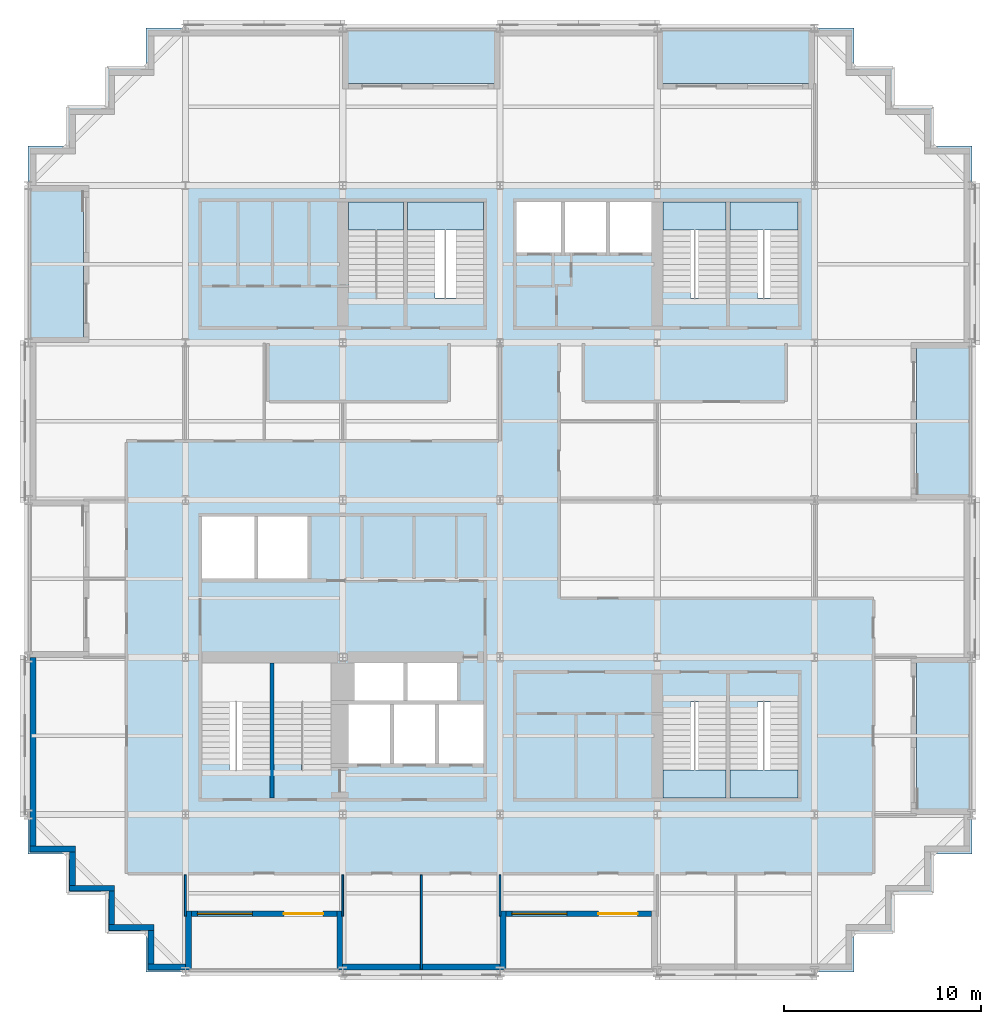
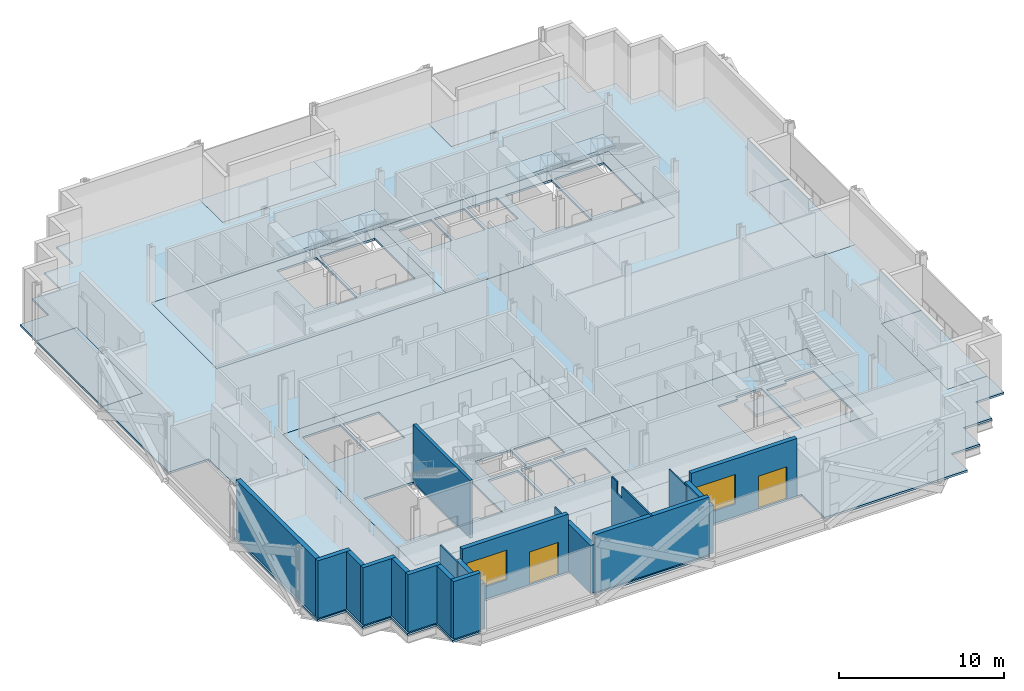
# One storey, part 4 of 12: 19 walls, 16 slabs, 2 doors, 2 windows, 4 openings, 6 elements without a shape of their own.
"""IFC4 building model written with IfcOpenShell, lengths in metres."""

from ifc_helpers import new_model, si_unit, direction, frame, frame_2d, origin, place, context, subcontext, project, spatial, polyline, rectangle, outline, extrude, material, layer, layer_set, type_object, element, fill, aggregate, save


model = new_model("IFC4")

# Units and contexts
model_context = context("Model", 3, precision=1e-05, world=origin(), true_north=direction((0.0, 1.0)))
body_context = subcontext(model_context, "Body", "Model", "MODEL_VIEW")
ifc_project = project(units=[si_unit("LENGTHUNIT", "METRE"), si_unit("AREAUNIT", "SQUARE_METRE"), si_unit("VOLUMEUNIT", "CUBIC_METRE"), si_unit("PLANEANGLEUNIT", "RADIAN"), si_unit("MASSUNIT", "GRAM", prefix="KILO")], contexts=[model_context])

# Site, building, storey
site_placement = place(None, origin())
site = spatial("IfcSite", under=ifc_project, at=site_placement, CompositionType="ELEMENT")
building_placement = place(site_placement, origin())
building = spatial("IfcBuilding", under=site, at=building_placement, Name="Immortelle Media Tower", CompositionType="ELEMENT")
storey_placement = place(building_placement, frame((0.0, 0.0, 52.39990234375)))
storey = spatial("IfcBuildingStorey", under=building, at=storey_placement, Name="L08", CompositionType="ELEMENT", Elevation=52.39990234375)

# Slabs
ifc_material_1 = material(Name="Concrete C50/60 composite deck", Category="concrete")
ifc_layer_1 = layer(ifc_material_1, 0.14990234375)
ifc_layer_set_1 = layer_set([ifc_layer_1], Name="Concrete C50/60 composite deck")
slab_type_1 = type_object("IfcSlabType", Name="Balcony slab 150", PredefinedType="FLOOR", material=ifc_layer_set_1)
slab_1_placement = place(storey_placement, frame((0.0, 0.0, -0.14990234375)))
element("IfcSlab", 1, at=slab_1_placement, inside=storey, type_object=slab_type_1, Name="Balcony slab L08 W0", PredefinedType="FLOOR", context=body_context, shape_type="SweptSolid", body=[
    extrude(outline(polyline([(2.800048828125, 32.0), (2.800048828125, 40.0), (0.0, 40.0), (0.0, 32.0), (2.800048828125, 32.0)])), origin(), (0.0, 0.0, 1.0), 0.14990234375),
])
slab_2_placement = place(storey_placement, frame((0.0, 0.0, -0.14990234375)))
element("IfcSlab", 2, at=slab_2_placement, inside=storey, type_object=slab_type_1, Name="Balcony slab L08 E0", PredefinedType="FLOOR", context=body_context, shape_type="SweptSolid", body=[
    extrude(outline(polyline([(48.0, 8.0), (48.0, 16.0), (45.199951171875, 16.0), (45.199951171875, 8.0), (48.0, 8.0)])), origin(), (0.0, 0.0, 1.0), 0.14990234375),
])
slab_3_placement = place(storey_placement, frame((0.0, 0.0, -0.14990234375)))
element("IfcSlab", 3, at=slab_3_placement, inside=storey, type_object=slab_type_1, Name="Balcony slab L08 E2", PredefinedType="FLOOR", context=body_context, shape_type="SweptSolid", body=[
    extrude(outline(polyline([(48.0, 24.0), (48.0, 32.0), (45.199951171875, 32.0), (45.199951171875, 24.0), (48.0, 24.0)])), origin(), (0.0, 0.0, 1.0), 0.14990234375),
])
slab_4_placement = place(storey_placement, frame((0.0, 0.0, -0.14990234375)))
element("IfcSlab", 4, at=slab_4_placement, inside=storey, type_object=slab_type_1, Name="Balcony slab L08 N0", PredefinedType="FLOOR", context=body_context, shape_type="SweptSolid", body=[
    extrude(outline(polyline([(40.0, 45.199951171875), (40.0, 48.0), (32.0, 48.0), (32.0, 45.199951171875), (40.0, 45.199951171875)])), origin(), (0.0, 0.0, 1.0), 0.14990234375),
])
slab_5_placement = place(storey_placement, frame((0.0, 0.0, -0.14990234375)))
element("IfcSlab", 5, at=slab_5_placement, inside=storey, type_object=slab_type_1, Name="Balcony slab L08 N2", PredefinedType="FLOOR", context=body_context, shape_type="SweptSolid", body=[
    extrude(outline(polyline([(24.0, 45.199951171875), (24.0, 48.0), (16.0, 48.0), (16.0, 45.199951171875), (24.0, 45.199951171875)])), origin(), (0.0, 0.0, 1.0), 0.14990234375),
])
ifc_material_2 = material(Name="Concrete C50/60", Category="concrete")
ifc_layer_2 = layer(ifc_material_2, 0.14990234375)
ifc_layer_set_2 = layer_set([ifc_layer_2], Name="Concrete C50/60")
slab_type_2 = type_object("IfcSlabType", Name="Composite floor slab 150", PredefinedType="FLOOR", material=ifc_layer_set_2)
slab_6_placement = place(storey_placement, frame((0.0, 0.0, -0.14990234375)))
element("IfcSlab", 6, at=slab_6_placement, inside=storey, type_object=slab_type_2, Name="Floor slab L08", PredefinedType="FLOOR", context=body_context, shape_type="SweptSolid", body=[
    extrude(outline(polyline([(6.0, 0.0), (6.0, 2.0), (4.0, 2.0), (4.0, 4.0), (2.0, 4.0), (2.0, 6.0), (0.0, 6.0), (0.0, 16.0), (2.800048828125, 16.0), (2.800048828125, 24.0), (0.0, 24.0), (0.0, 32.0), (2.800048828125, 32.0), (2.800048828125, 40.0), (0.0, 40.0), (0.0, 42.0), (2.0, 42.0), (2.0, 44.0), (4.0, 44.0), (4.0, 46.0), (6.0, 46.0), (6.0, 48.0), (16.0, 48.0), (16.0, 45.199951171875), (24.0, 45.199951171875), (24.0, 48.0), (32.0, 48.0), (32.0, 45.199951171875), (40.0, 45.199951171875), (40.0, 48.0), (42.0, 48.0), (42.0, 46.0), (44.0, 46.0), (44.0, 44.0), (46.0, 44.0), (46.0, 42.0), (48.0, 42.0), (48.0, 32.0), (45.199951171875, 32.0), (45.199951171875, 24.0), (48.0, 24.0), (48.0, 16.0), (45.199951171875, 16.0), (45.199951171875, 8.0), (48.0, 8.0), (48.0, 6.0), (46.0, 6.0), (46.0, 4.0), (44.0, 4.0), (44.0, 2.0), (42.0, 2.0), (42.0, 0.0), (32.0, 0.0), (32.0, 2.800048828125), (24.0, 2.800048828125), (24.0, 0.0), (16.0, 0.0), (16.0, 2.800048828125), (8.0, 2.800048828125), (8.0, 0.0), (6.0, 0.0)]), holes=[polyline([(24.0, 24.0), (8.0, 24.0), (8.0, 8.0), (24.0, 8.0), (40.0, 8.0), (40.0, 16.0), (24.0, 16.0), (24.0, 24.0)]), polyline([(24.0, 32.0), (40.0, 32.0), (40.0, 40.0), (24.0, 40.0), (8.0, 40.0), (8.0, 32.0), (24.0, 32.0)])]), origin(), (0.0, 0.0, 1.0), 0.14990234375),
])
ifc_layer_3 = layer(ifc_material_2, 0.14990234375)
ifc_layer_set_3 = layer_set([ifc_layer_3], Name="Concrete C50/60")
slab_type_3 = type_object("IfcSlabType", Name="Core floor slab 150", PredefinedType="FLOOR", material=ifc_layer_set_3)
slab_7_placement = place(storey_placement, frame((0.0, 0.0, -0.14990234375)))
element("IfcSlab", 7, at=slab_7_placement, inside=storey, type_object=slab_type_3, Name="Core floor SW", PredefinedType="FLOOR", context=body_context, shape_type="SweptSolid", body=[
    extrude(outline(polyline([(8.0, 8.0), (24.0, 8.0), (24.0, 24.0), (8.0, 24.0), (8.0, 8.0)]), holes=[polyline([(8.85009765625, 20.0), (11.5, 20.0), (11.5, 23.14990234375), (8.85009765625, 23.14990234375), (8.85009765625, 20.0)]), polyline([(11.699951171875, 20.0), (14.199951171875, 20.0), (14.199951171875, 23.14990234375), (11.699951171875, 23.14990234375), (11.699951171875, 20.0)]), polyline([(16.60009765625, 13.800048828125), (19.10009765625, 13.800048828125), (19.10009765625, 15.699951171875), (16.60009765625, 15.699951171875), (16.60009765625, 13.800048828125)]), polyline([(19.300048828125, 13.800048828125), (21.800048828125, 13.800048828125), (21.800048828125, 15.699951171875), (19.300048828125, 15.699951171875), (19.300048828125, 13.800048828125)]), polyline([(16.300048828125, 10.60009765625), (18.39990234375, 10.60009765625), (18.39990234375, 13.60009765625), (16.300048828125, 13.60009765625), (16.300048828125, 10.60009765625)]), polyline([(18.60009765625, 10.60009765625), (20.699951171875, 10.60009765625), (20.699951171875, 13.60009765625), (18.60009765625, 13.60009765625), (18.60009765625, 10.60009765625)]), polyline([(20.89990234375, 10.60009765625), (23.14990234375, 10.60009765625), (23.14990234375, 13.60009765625), (20.89990234375, 13.60009765625), (20.89990234375, 10.60009765625)]), polyline([(8.85009765625, 15.699951171875), (12.300048828125, 15.699951171875), (12.300048828125, 10.27001953125), (10.25, 10.27001953125), (10.25, 10.56005859375), (8.85009765625, 10.56005859375), (8.85009765625, 15.699951171875)]), polyline([(12.5, 15.699951171875), (15.39990234375, 15.699951171875), (15.39990234375, 10.27001953125), (13.89990234375, 10.27001953125), (13.89990234375, 10.56005859375), (12.5, 10.56005859375), (12.5, 15.699951171875)])]), origin(), (0.0, 0.0, 1.0), 0.14990234375),
])
slab_8_placement = place(storey_placement, frame((0.0, 0.0, -0.14990234375)))
element("IfcSlab", 8, at=slab_8_placement, inside=storey, type_object=slab_type_3, Name="Core floor SE", PredefinedType="FLOOR", context=body_context, shape_type="SweptSolid", body=[
    extrude(outline(polyline([(24.0, 8.0), (40.0, 8.0), (40.0, 16.0), (24.0, 16.0), (24.0, 8.0)]), holes=[polyline([(35.5, 13.72998046875), (35.5, 8.85009765625), (32.300048828125, 8.85009765625), (32.300048828125, 13.43994140625), (33.699951171875, 13.43994140625), (33.699951171875, 13.72998046875), (35.5, 13.72998046875)]), polyline([(39.14990234375, 13.72998046875), (39.14990234375, 8.85009765625), (35.699951171875, 8.85009765625), (35.699951171875, 13.43994140625), (37.10009765625, 13.43994140625), (37.10009765625, 13.72998046875), (39.14990234375, 13.72998046875)])]), origin(), (0.0, 0.0, 1.0), 0.14990234375),
])
slab_9_placement = place(storey_placement, frame((0.0, 0.0, -0.14990234375)))
element("IfcSlab", 9, at=slab_9_placement, inside=storey, type_object=slab_type_3, Name="Core floor NW", PredefinedType="FLOOR", context=body_context, shape_type="SweptSolid", body=[
    extrude(outline(polyline([(8.0, 32.0), (24.0, 32.0), (24.0, 40.0), (8.0, 40.0), (8.0, 32.0)]), holes=[polyline([(16.300048828125, 39.14990234375), (19.10009765625, 39.14990234375), (19.10009765625, 34.27001953125), (17.699951171875, 34.27001953125), (17.699951171875, 34.56005859375), (16.300048828125, 34.56005859375), (16.300048828125, 39.14990234375)]), polyline([(19.300048828125, 39.14990234375), (23.14990234375, 39.14990234375), (23.14990234375, 34.27001953125), (20.699951171875, 34.27001953125), (20.699951171875, 34.56005859375), (19.300048828125, 34.56005859375), (19.300048828125, 39.14990234375)])]), origin(), (0.0, 0.0, 1.0), 0.14990234375),
])
slab_10_placement = place(storey_placement, frame((0.0, 0.0, -0.14990234375)))
element("IfcSlab", 10, at=slab_10_placement, inside=storey, type_object=slab_type_3, Name="Core floor NE", PredefinedType="FLOOR", context=body_context, shape_type="SweptSolid", body=[
    extrude(outline(polyline([(24.0, 32.0), (40.0, 32.0), (40.0, 40.0), (24.0, 40.0), (24.0, 32.0)]), holes=[polyline([(24.85009765625, 36.60009765625), (27.10009765625, 36.60009765625), (27.10009765625, 39.14990234375), (24.85009765625, 39.14990234375), (24.85009765625, 36.60009765625)]), polyline([(27.300048828125, 36.60009765625), (29.39990234375, 36.60009765625), (29.39990234375, 39.14990234375), (27.300048828125, 39.14990234375), (27.300048828125, 36.60009765625)]), polyline([(29.60009765625, 36.60009765625), (31.699951171875, 36.60009765625), (31.699951171875, 39.14990234375), (29.60009765625, 39.14990234375), (29.60009765625, 36.60009765625)]), polyline([(32.300048828125, 39.14990234375), (35.5, 39.14990234375), (35.5, 34.27001953125), (33.699951171875, 34.27001953125), (33.699951171875, 34.56005859375), (32.300048828125, 34.56005859375), (32.300048828125, 39.14990234375)]), polyline([(35.699951171875, 39.14990234375), (39.14990234375, 39.14990234375), (39.14990234375, 34.27001953125), (37.10009765625, 34.27001953125), (37.10009765625, 34.56005859375), (35.699951171875, 34.56005859375), (35.699951171875, 39.14990234375)])]), origin(), (0.0, 0.0, 1.0), 0.14990234375),
])

# Stair, slab
ifc_material_3 = material(Name="Steel ASTM A992 Gr 50", Category="steel")
stair_type = type_object("IfcStairType", Name="Stair with flights", PredefinedType="DOUBLE_RETURN_STAIR", material=ifc_material_3)
stair_1_placement = place(storey_placement, origin())
stair_1 = element("IfcStair", 11, at=stair_1_placement, inside=storey, type_object=stair_type, Name="Exit stair SE1", PredefinedType="DOUBLE_RETURN_STAIR")
ifc_material_4 = material(Name="Steel ASTM A572 Gr 50", Category="steel")
ifc_layer_4 = layer(ifc_material_4, 0.199951171875)
ifc_layer_set_4 = layer_set([ifc_layer_4], Name="Steel ASTM A572 Gr 50")
slab_type_4 = type_object("IfcSlabType", Name="Stair landing 200", PredefinedType="LANDING", material=ifc_layer_set_4)
slab_11_placement = place(storey_placement, frame((0.0, 0.0, 1.912109375)))
slab_11 = element("IfcSlab", 12, at=slab_11_placement, type_object=slab_type_4, Name="ST SE1 landing 1", PredefinedType="LANDING", context=body_context, shape_type="SweptSolid", body=[
    extrude(outline(polyline([(32.300048828125, 8.85009765625), (35.5, 8.85009765625), (35.5, 10.27001953125), (32.300048828125, 10.27001953125), (32.300048828125, 8.85009765625)])), origin(), (0.0, 0.0, 1.0), 0.199951171875),
])
aggregate(stair_1, [slab_11])

stair_2_placement = place(storey_placement, origin())
stair_2 = element("IfcStair", 13, at=stair_2_placement, inside=storey, type_object=stair_type, Name="Exit stair SE2", PredefinedType="DOUBLE_RETURN_STAIR")
slab_12_placement = place(storey_placement, frame((0.0, 0.0, 1.912109375)))
slab_12 = element("IfcSlab", 14, at=slab_12_placement, type_object=slab_type_4, Name="ST SE2 landing 1", PredefinedType="LANDING", context=body_context, shape_type="SweptSolid", body=[
    extrude(outline(polyline([(35.699951171875, 8.85009765625), (39.14990234375, 8.85009765625), (39.14990234375, 10.27001953125), (35.699951171875, 10.27001953125), (35.699951171875, 8.85009765625)])), origin(), (0.0, 0.0, 1.0), 0.199951171875),
])
aggregate(stair_2, [slab_12])

stair_3_placement = place(storey_placement, origin())
stair_3 = element("IfcStair", 15, at=stair_3_placement, inside=storey, type_object=stair_type, Name="Exit stair NW1", PredefinedType="DOUBLE_RETURN_STAIR")
slab_13_placement = place(storey_placement, frame((0.0, 0.0, 1.912109375)))
slab_13 = element("IfcSlab", 16, at=slab_13_placement, type_object=slab_type_4, Name="ST NW1 landing 1", PredefinedType="LANDING", context=body_context, shape_type="SweptSolid", body=[
    extrude(outline(polyline([(16.300048828125, 37.72998046875), (19.10009765625, 37.72998046875), (19.10009765625, 39.14990234375), (16.300048828125, 39.14990234375), (16.300048828125, 37.72998046875)])), origin(), (0.0, 0.0, 1.0), 0.199951171875),
])
aggregate(stair_3, [slab_13])

stair_4_placement = place(storey_placement, origin())
stair_4 = element("IfcStair", 17, at=stair_4_placement, inside=storey, type_object=stair_type, Name="Exit stair NW2", PredefinedType="DOUBLE_RETURN_STAIR")
slab_14_placement = place(storey_placement, frame((0.0, 0.0, 1.912109375)))
slab_14 = element("IfcSlab", 18, at=slab_14_placement, type_object=slab_type_4, Name="ST NW2 landing 1", PredefinedType="LANDING", context=body_context, shape_type="SweptSolid", body=[
    extrude(outline(polyline([(19.300048828125, 37.72998046875), (23.14990234375, 37.72998046875), (23.14990234375, 39.14990234375), (19.300048828125, 39.14990234375), (19.300048828125, 37.72998046875)])), origin(), (0.0, 0.0, 1.0), 0.199951171875),
])
aggregate(stair_4, [slab_14])

stair_5_placement = place(storey_placement, origin())
stair_5 = element("IfcStair", 19, at=stair_5_placement, inside=storey, type_object=stair_type, Name="Exit stair NE1", PredefinedType="DOUBLE_RETURN_STAIR")
slab_15_placement = place(storey_placement, frame((0.0, 0.0, 1.912109375)))
slab_15 = element("IfcSlab", 20, at=slab_15_placement, type_object=slab_type_4, Name="ST NE1 landing 1", PredefinedType="LANDING", context=body_context, shape_type="SweptSolid", body=[
    extrude(outline(polyline([(32.300048828125, 37.72998046875), (35.5, 37.72998046875), (35.5, 39.14990234375), (32.300048828125, 39.14990234375), (32.300048828125, 37.72998046875)])), origin(), (0.0, 0.0, 1.0), 0.199951171875),
])
aggregate(stair_5, [slab_15])

stair_6_placement = place(storey_placement, origin())
stair_6 = element("IfcStair", 21, at=stair_6_placement, inside=storey, type_object=stair_type, Name="Exit stair NE2", PredefinedType="DOUBLE_RETURN_STAIR")
slab_16_placement = place(storey_placement, frame((0.0, 0.0, 1.912109375)))
slab_16 = element("IfcSlab", 22, at=slab_16_placement, type_object=slab_type_4, Name="ST NE2 landing 1", PredefinedType="LANDING", context=body_context, shape_type="SweptSolid", body=[
    extrude(outline(polyline([(35.699951171875, 37.72998046875), (39.14990234375, 37.72998046875), (39.14990234375, 39.14990234375), (35.699951171875, 39.14990234375), (35.699951171875, 37.72998046875)])), origin(), (0.0, 0.0, 1.0), 0.199951171875),
])
aggregate(stair_6, [slab_16])

# Walls
ifc_material_5 = material(Name="Pale aluminium cladding panel", Category="aluminium")
ifc_layer_5 = layer(ifc_material_5, 0.030029296875)
ifc_material_6 = material(Name="Steel ASTM A653 SS Gr 50 stud frame with mineral wool", Category="steel")
ifc_layer_6 = layer(ifc_material_6, 0.257568359375)
ifc_material_7 = material(Name="Moisture-resistant gypsum board", Category="gypsum")
ifc_layer_7 = layer(ifc_material_7, 0.012451171875)
ifc_layer_set_5 = layer_set([ifc_layer_5, ifc_layer_6, ifc_layer_7], Name="Steel ASTM A653 SS Gr 50 stud frame with mineral wool")
wall_type_1 = type_object("IfcWallType", Name="Facade wall 300", PredefinedType="SOLIDWALL", material=ifc_layer_set_5)
wall_1_placement = place(storey_placement, frame((0.25, 16.0, 0.0), z_axis=(0.0, 0.0, 1.0), x_axis=(0.0, -1.0, 0.0)))
element("IfcWall", 23, at=wall_1_placement, inside=storey, type_object=wall_type_1, Name="Facade wall L08 W0", PredefinedType="SOLIDWALL", context=body_context, shape_type="SweptSolid", body=[
    extrude(rectangle(XDim=9.60009765625, YDim=0.300048828125, at=frame_2d((4.800048828125, 0.0))), origin(), (0.0, 0.0, 1.0), 4.25),
])
wall_2_placement = place(storey_placement, frame((0.10009765625, 6.25, 0.0), z_axis=(0.0, 0.0, 1.0), x_axis=(1.0, 0.0, 0.0)))
element("IfcWall", 24, at=wall_2_placement, inside=storey, type_object=wall_type_1, Name="Facade wall L08 S1", PredefinedType="SOLIDWALL", context=body_context, shape_type="SweptSolid", body=[
    extrude(rectangle(XDim=2.2998046875, YDim=0.300048828125, at=frame_2d((1.14990234375, 0.0))), origin(), (0.0, 0.0, 1.0), 4.25),
])
wall_3_placement = place(storey_placement, frame((2.25, 6.10009765625, 0.0), z_axis=(0.0, 0.0, 1.0), x_axis=(0.0, -1.0, 0.0)))
element("IfcWall", 25, at=wall_3_placement, inside=storey, type_object=wall_type_1, Name="Facade wall L08 W2", PredefinedType="SOLIDWALL", context=body_context, shape_type="SweptSolid", body=[
    extrude(rectangle(XDim=1.7001953125, YDim=0.300048828125, at=frame_2d((0.85009765625, 0.0))), origin(), (0.0, 0.0, 1.0), 4.25),
])
wall_4_placement = place(storey_placement, frame((2.10009765625, 4.25, 0.0), z_axis=(0.0, 0.0, 1.0), x_axis=(1.0, 0.0, 0.0)))
element("IfcWall", 26, at=wall_4_placement, inside=storey, type_object=wall_type_1, Name="Facade wall L08 S3", PredefinedType="SOLIDWALL", context=body_context, shape_type="SweptSolid", body=[
    extrude(rectangle(XDim=2.2998046875, YDim=0.300048828125, at=frame_2d((1.14990234375, 0.0))), origin(), (0.0, 0.0, 1.0), 4.25),
])
wall_5_placement = place(storey_placement, frame((4.25, 4.10009765625, 0.0), z_axis=(0.0, 0.0, 1.0), x_axis=(0.0, -1.0, 0.0)))
element("IfcWall", 27, at=wall_5_placement, inside=storey, type_object=wall_type_1, Name="Facade wall L08 W4", PredefinedType="SOLIDWALL", context=body_context, shape_type="SweptSolid", body=[
    extrude(rectangle(XDim=1.7001953125, YDim=0.300048828125, at=frame_2d((0.85009765625, 0.0))), origin(), (0.0, 0.0, 1.0), 4.25),
])
wall_6_placement = place(storey_placement, frame((4.10009765625, 2.25, 0.0), z_axis=(0.0, 0.0, 1.0), x_axis=(1.0, 0.0, 0.0)))
element("IfcWall", 28, at=wall_6_placement, inside=storey, type_object=wall_type_1, Name="Facade wall L08 S5", PredefinedType="SOLIDWALL", context=body_context, shape_type="SweptSolid", body=[
    extrude(rectangle(XDim=2.2998046875, YDim=0.300048828125, at=frame_2d((1.14990234375, 0.0))), origin(), (0.0, 0.0, 1.0), 4.25),
])
wall_7_placement = place(storey_placement, frame((6.25, 2.10009765625, 0.0), z_axis=(0.0, 0.0, 1.0), x_axis=(0.0, -1.0, 0.0)))
element("IfcWall", 29, at=wall_7_placement, inside=storey, type_object=wall_type_1, Name="Facade wall L08 W6", PredefinedType="SOLIDWALL", context=body_context, shape_type="SweptSolid", body=[
    extrude(rectangle(XDim=1.7001953125, YDim=0.300048828125, at=frame_2d((0.85009765625, 0.0))), origin(), (0.0, 0.0, 1.0), 4.25),
])
wall_8_placement = place(storey_placement, frame((6.10009765625, 0.25, 0.0), z_axis=(0.0, 0.0, 1.0), x_axis=(1.0, 0.0, 0.0)))
element("IfcWall", 30, at=wall_8_placement, inside=storey, type_object=wall_type_1, Name="Facade wall L08 S7", PredefinedType="SOLIDWALL", context=body_context, shape_type="SweptSolid", body=[
    extrude(rectangle(XDim=1.89990234375, YDim=0.300048828125, at=frame_2d((0.949951171875, 0.0))), origin(), (0.0, 0.0, 1.0), 4.25),
])

# Wall, openings, door, window
wall_9_placement = place(storey_placement, frame((8.300048828125, 2.949951171875, 0.0), z_axis=(0.0, 0.0, 1.0), x_axis=(1.0, 0.0, 0.0)))
wall_9 = element("IfcWall", 31, at=wall_9_placement, inside=storey, type_object=wall_type_1, Name="Loggia wall L08 S7", PredefinedType="SOLIDWALL", context=body_context, shape_type="SweptSolid", body=[
    extrude(rectangle(XDim=7.39990234375, YDim=0.300048828125, at=frame_2d((3.699951171875, 0.0))), origin(), (0.0, 0.0, 1.0), 4.25),
])
opening_1_placement = place(wall_9_placement, frame((0.300048828125, 0.0, 0.89990234375)))
opening_1 = element("IfcOpeningElement", 32, at=opening_1_placement, cuts=wall_9, Name="Opening W1", PredefinedType="OPENING", context=body_context, shape_type="SweptSolid", body=[
    extrude(rectangle(XDim=2.800048828125, YDim=2.199951171875, at=frame_2d((1.39990234375, 1.10009765625))), frame((0.0, 0.159912109375, 0.0), z_axis=(0.0, -1.0, 0.0), x_axis=(1.0, 0.0, 0.0)), (0.0, 0.0, 1.0), 0.320068359375),
])
opening_2_placement = place(wall_9_placement, frame((4.699951171875, 0.0, 0.0)))
opening_2 = element("IfcOpeningElement", 33, at=opening_2_placement, cuts=wall_9, Name="Opening N2-E003", PredefinedType="OPENING", context=body_context, shape_type="SweptSolid", body=[
    extrude(rectangle(XDim=2.0, YDim=2.39990234375, at=frame_2d((1.0, 1.199951171875))), frame((0.0, 0.159912109375, 0.0), z_axis=(0.0, -1.0, 0.0), x_axis=(1.0, 0.0, 0.0)), (0.0, 0.0, 1.0), 0.320068359375),
])
ifc_material_8 = material(Name="Aluminium frame, glazed leaves", Category="aluminium")
door_type = type_object("IfcDoorType", Name="Loggia door 2000 x 2400", OperationType="DOUBLE_DOOR_SINGLE_SWING", PredefinedType="DOOR", material=ifc_material_8)
door_1_placement = place(opening_2_placement, origin())
door_1 = element("IfcDoor", 34, at=door_1_placement, inside=storey, type_object=door_type, Name="Door N2-E003", OperationType="DOUBLE_DOOR_SINGLE_SWING", OverallHeight=2.39990234375, OverallWidth=2.0, PredefinedType="DOOR", context=body_context, shape_type="SweptSolid", body=[
    extrude(rectangle(XDim=2.0, YDim=2.39990234375, at=frame_2d((1.0, 1.199951171875))), frame((0.0, 0.02490234375, 0.0), z_axis=(0.0, -1.0, 0.0), x_axis=(1.0, 0.0, 0.0)), (0.0, 0.0, 1.0), 0.050048828125),
])
fill(opening_2, door_1)
ifc_material_9 = material(Name="Aluminium frame", Category="aluminium")
window_type = type_object("IfcWindowType", Name="Window 2800 x 2200", PartitioningType="SINGLE_PANEL", PredefinedType="WINDOW", material=ifc_material_9)
window_1_placement = place(opening_1_placement, origin())
window_1 = element("IfcWindow", 35, at=window_1_placement, inside=storey, type_object=window_type, Name="Window L08 L08-R7-B0", OverallHeight=2.199951171875, OverallWidth=2.800048828125, PartitioningType="SINGLE_PANEL", PredefinedType="WINDOW", context=body_context, shape_type="SweptSolid", body=[
    extrude(rectangle(XDim=2.800048828125, YDim=2.199951171875, at=frame_2d((1.39990234375, 1.10009765625))), frame((0.0, 0.030029296875, 0.0), z_axis=(0.0, -1.0, 0.0), x_axis=(1.0, 0.0, 0.0)), (0.0, 0.0, 1.0), 0.06005859375),
])
fill(opening_1, window_1)

# Walls
wall_10_placement = place(storey_placement, frame((8.14990234375, 0.10009765625, 0.0), z_axis=(0.0, 0.0, 1.0), x_axis=(0.0, 1.0, 0.0)))
element("IfcWall", 36, at=wall_10_placement, inside=storey, type_object=wall_type_1, Name="Loggia cheek wall L08 S", PredefinedType="SOLIDWALL", context=body_context, shape_type="SweptSolid", body=[
    extrude(rectangle(XDim=3.0, YDim=0.300048828125, at=frame_2d((1.5, 0.0))), origin(), (0.0, 0.0, 1.0), 3.39013671875),
])
wall_11_placement = place(storey_placement, frame((15.85009765625, 0.10009765625, 0.0), z_axis=(0.0, 0.0, 1.0), x_axis=(0.0, 1.0, 0.0)))
element("IfcWall", 37, at=wall_11_placement, inside=storey, type_object=wall_type_1, Name="Loggia cheek wall L08 S", PredefinedType="SOLIDWALL", context=body_context, shape_type="SweptSolid", body=[
    extrude(rectangle(XDim=3.0, YDim=0.300048828125, at=frame_2d((1.5, 0.0))), origin(), (0.0, 0.0, 1.0), 3.552978515625),
])
wall_12_placement = place(storey_placement, frame((16.0, 0.25, 0.0), z_axis=(0.0, 0.0, 1.0), x_axis=(1.0, 0.0, 0.0)))
element("IfcWall", 38, at=wall_12_placement, inside=storey, type_object=wall_type_1, Name="Facade wall L08 S7", PredefinedType="SOLIDWALL", context=body_context, shape_type="SweptSolid", body=[
    extrude(rectangle(XDim=8.0, YDim=0.300048828125, at=frame_2d((4.0, 0.0))), origin(), (0.0, 0.0, 1.0), 4.25),
])

# Wall, openings, door, window
wall_13_placement = place(storey_placement, frame((24.300048828125, 2.949951171875, 0.0), z_axis=(0.0, 0.0, 1.0), x_axis=(1.0, 0.0, 0.0)))
wall_13 = element("IfcWall", 39, at=wall_13_placement, inside=storey, type_object=wall_type_1, Name="Loggia wall L08 S7", PredefinedType="SOLIDWALL", context=body_context, shape_type="SweptSolid", body=[
    extrude(rectangle(XDim=7.39990234375, YDim=0.300048828125, at=frame_2d((3.699951171875, 0.0))), origin(), (0.0, 0.0, 1.0), 4.25),
])
opening_3_placement = place(wall_13_placement, frame((0.300048828125, 0.0, 0.89990234375)))
opening_3 = element("IfcOpeningElement", 40, at=opening_3_placement, cuts=wall_13, Name="Opening W1", PredefinedType="OPENING", context=body_context, shape_type="SweptSolid", body=[
    extrude(rectangle(XDim=2.800048828125, YDim=2.199951171875, at=frame_2d((1.39990234375, 1.10009765625))), frame((0.0, 0.159912109375, 0.0), z_axis=(0.0, -1.0, 0.0), x_axis=(1.0, 0.0, 0.0)), (0.0, 0.0, 1.0), 0.320068359375),
])
opening_4_placement = place(wall_13_placement, frame((4.699951171875, 0.0, 0.0)))
opening_4 = element("IfcOpeningElement", 41, at=opening_4_placement, cuts=wall_13, Name="Opening N2-E004", PredefinedType="OPENING", context=body_context, shape_type="SweptSolid", body=[
    extrude(rectangle(XDim=2.0, YDim=2.39990234375, at=frame_2d((1.0, 1.199951171875))), frame((0.0, 0.159912109375, 0.0), z_axis=(0.0, -1.0, 0.0), x_axis=(1.0, 0.0, 0.0)), (0.0, 0.0, 1.0), 0.320068359375),
])
door_2_placement = place(opening_4_placement, origin())
door_2 = element("IfcDoor", 42, at=door_2_placement, inside=storey, type_object=door_type, Name="Door N2-E004", OperationType="DOUBLE_DOOR_SINGLE_SWING", OverallHeight=2.39990234375, OverallWidth=2.0, PredefinedType="DOOR", context=body_context, shape_type="SweptSolid", body=[
    extrude(rectangle(XDim=2.0, YDim=2.39990234375, at=frame_2d((1.0, 1.199951171875))), frame((0.0, 0.02490234375, 0.0), z_axis=(0.0, -1.0, 0.0), x_axis=(1.0, 0.0, 0.0)), (0.0, 0.0, 1.0), 0.050048828125),
])
fill(opening_4, door_2)
window_2_placement = place(opening_3_placement, origin())
window_2 = element("IfcWindow", 43, at=window_2_placement, inside=storey, type_object=window_type, Name="Window L08 L08-R7-B2", OverallHeight=2.199951171875, OverallWidth=2.800048828125, PartitioningType="SINGLE_PANEL", PredefinedType="WINDOW", context=body_context, shape_type="SweptSolid", body=[
    extrude(rectangle(XDim=2.800048828125, YDim=2.199951171875, at=frame_2d((1.39990234375, 1.10009765625))), frame((0.0, 0.030029296875, 0.0), z_axis=(0.0, -1.0, 0.0), x_axis=(1.0, 0.0, 0.0)), (0.0, 0.0, 1.0), 0.06005859375),
])
fill(opening_3, window_2)

# Walls
wall_14_placement = place(storey_placement, frame((24.14990234375, 0.10009765625, 0.0), z_axis=(0.0, 0.0, 1.0), x_axis=(0.0, 1.0, 0.0)))
element("IfcWall", 44, at=wall_14_placement, inside=storey, type_object=wall_type_1, Name="Loggia cheek wall L08 S", PredefinedType="SOLIDWALL", context=body_context, shape_type="SweptSolid", body=[
    extrude(rectangle(XDim=3.0, YDim=0.300048828125, at=frame_2d((1.5, 0.0))), origin(), (0.0, 0.0, 1.0), 3.552978515625),
])
ifc_material_10 = material(Name="Gypsum board", Category="gypsum")
ifc_layer_8 = layer(ifc_material_10, 0.012451171875)
ifc_layer_9 = layer(ifc_material_6, 0.074951171875)
ifc_layer_10 = layer(ifc_material_10, 0.012451171875)
ifc_layer_set_6 = layer_set([ifc_layer_8, ifc_layer_9, ifc_layer_10], Name="Steel ASTM A653 SS Gr 50 stud frame with mineral wool")
wall_type_2 = type_object("IfcWallType", Name="Partition 100", PredefinedType="PARTITIONING", material=ifc_layer_set_6)
wall_15_placement = place(storey_placement, frame((20.0, 0.1298828125, 0.0), z_axis=(0.0, 0.0, 1.0), x_axis=(0.0, 1.0, 0.0)))
element("IfcWall", 45, at=wall_15_placement, inside=storey, type_object=wall_type_2, Name="Partition L08-001", PredefinedType="PARTITIONING", context=body_context, shape_type="SweptSolid", body=[
    extrude(outline(polyline([(0.0, 0.0), (4.795166015625, 0.0), (4.794921875, 4.25), (4.169921875, 4.25), (4.16796875, 3.39111328125), (3.572021484375, 3.39111328125), (3.570068359375, 4.25), (0.0, 4.25), (0.0, 0.0)])), frame((0.0, 0.050048828125, 0.0), z_axis=(0.0, -1.0, 0.0), x_axis=(1.0, 0.0, 0.0)), (0.0, 0.0, 1.0), 0.10009765625),
])
for number, where, z_axis, x_axis, name in (
    (46, (8.0, 2.830078125, 0.0), (0.0, 0.0, 1.0), (0.0, 1.0, 0.0), "Partition L08-003"),
    (47, (16.0, 2.830078125, 0.0), (0.0, 0.0, 1.0), (0.0, 1.0, 0.0), "Partition L08-004"),
    (48, (24.0, 2.830078125, 0.0), (0.0, 0.0, 1.0), (0.0, 1.0, 0.0), "Partition L08-005"),
):
    element("IfcWall", number, at=place(storey_placement, frame(where, z_axis=z_axis, x_axis=x_axis)), inside=storey, type_object=wall_type_2, Name=name, PredefinedType="PARTITIONING", context=body_context, shape_type="SweptSolid", body=[
        extrude(rectangle(XDim=2.094970703125, YDim=0.10009765625, at=frame_2d((1.04736328125, 0.0))), origin(), (0.0, 0.0, 1.0), 3.39111328125),
    ])
ifc_material_11 = material(Name="Concrete C60", Category="concrete")
ifc_layer_11 = layer(ifc_material_11, 0.199951171875)
ifc_layer_set_7 = layer_set([ifc_layer_11], Name="Concrete C60")
wall_type_3 = type_object("IfcWallType", Name="Stair shaft wall 200", PredefinedType="PARTITIONING", material=ifc_layer_set_7)
wall_16_placement = place(storey_placement, frame((12.39990234375, 8.85009765625, 0.0), z_axis=(0.0, 0.0, 1.0), x_axis=(0.0, 1.0, 0.0)))
element("IfcWall", 49, at=wall_16_placement, inside=storey, type_object=wall_type_3, Name="Stair shaft wall SW", PredefinedType="PARTITIONING", context=body_context, shape_type="SweptSolid", body=[
    extrude(rectangle(XDim=6.849853515625, YDim=0.199951171875, at=frame_2d((3.4248046875, 0.0))), origin(), (0.0, 0.0, 1.0), 4.25),
])

save(model, "model.ifc")
